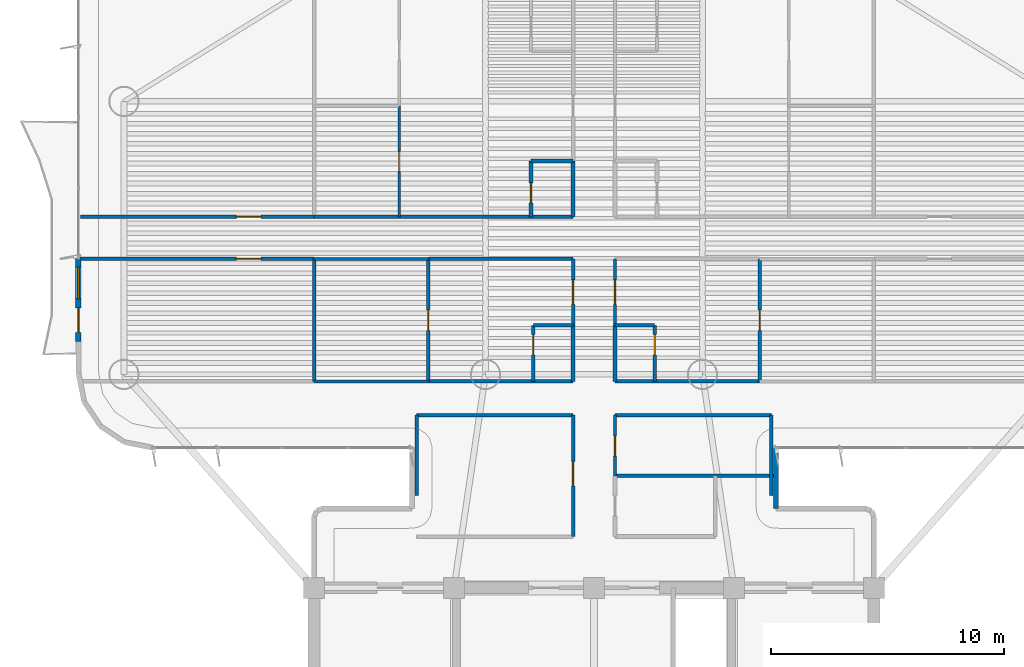
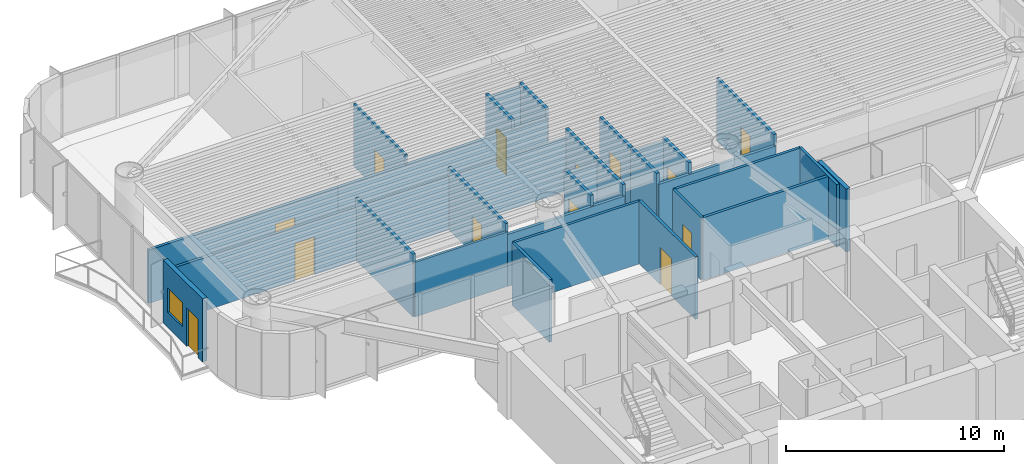
# One storey, part 10 of 17: 32 walls, 13 doors, 1 window, 14 openings.
"""IFC4 building model written with IfcOpenShell, lengths in metres."""

from ifc_helpers import new_model, si_unit, direction, frame, frame_2d, origin, origin_2d, place, context, subcontext, project, spatial, rectangle, extrude, source, transform, mapped, material, layer, layer_set, type_object, element, fill, save


model = new_model("IFC4")

# Units and contexts
model_context = context("Model", 3, precision=1e-05, world=origin(), true_north=direction((0.0, 1.0)))
body_context = subcontext(model_context, "Body", "Model", "MODEL_VIEW")
ifc_project = project(units=[si_unit("LENGTHUNIT", "METRE"), si_unit("AREAUNIT", "SQUARE_METRE"), si_unit("VOLUMEUNIT", "CUBIC_METRE"), si_unit("PLANEANGLEUNIT", "RADIAN"), si_unit("MASSUNIT", "GRAM", prefix="KILO")], contexts=[model_context])

# Site, building, storey
site_placement = place(None, origin())
site = spatial("IfcSite", under=ifc_project, at=site_placement, CompositionType="ELEMENT")
building_placement = place(site_placement, origin())
building = spatial("IfcBuilding", under=site, at=building_placement, Name="Brelvock Crest Care Tower", CompositionType="ELEMENT")
storey_placement = place(building_placement, frame((0.0, 0.0, 97.3798828125)))
storey = spatial("IfcBuildingStorey", under=building, at=storey_placement, Name="L24", CompositionType="ELEMENT", Elevation=97.3798828125)

# Wall, openings, door, window
ifc_material_1 = material(Name="Precast concrete N40 (40 MPa)", Category="concrete")
ifc_layer_1 = layer(ifc_material_1, 0.239990234375, Name="WL-EX1")
ifc_layer_set_1 = layer_set([ifc_layer_1], Name="Precast concrete N40 (40 MPa)")
wall_type_1 = type_object("IfcWallType", Name="WL-EX1", PredefinedType="SOLIDWALL", material=ifc_layer_set_1)
wall_1_placement = place(storey_placement, frame((13.89990234375, 28.550048828125, 0.0), z_axis=(0.0, 0.0, 1.0), x_axis=(0.0, 1.0, 0.0)))
wall_1 = element("IfcWall", 1, at=wall_1_placement, inside=storey, type_object=wall_type_1, Name="L24 Exterior Spandrel Wall WL-BAL-L24-W", PredefinedType="SOLIDWALL", context=body_context, shape_type="SweptSolid", body=[
    extrude(rectangle(XDim=3.599853515625, YDim=0.239990234375, at=frame_2d((1.7998046875, 0.0))), origin(), (0.0, 0.0, 1.0), 3.530029296875),
])
opening_1_placement = place(wall_1_placement, frame((0.39990234375, 0.0, 0.0)))
opening_1 = element("IfcOpeningElement", 2, at=opening_1_placement, cuts=wall_1, Name="Opening BD-1", PredefinedType="OPENING", context=body_context, shape_type="SweptSolid", body=[
    extrude(rectangle(XDim=1.050048828125, YDim=2.14990234375, at=origin_2d()), frame((0.52490234375, 0.1298828125, 1.074951171875), z_axis=(0.0, -1.0, 0.0), x_axis=(1.0, 0.0, 0.0)), (0.0, 0.0, 1.0), 0.260009765625),
])
opening_2_placement = place(wall_1_placement, frame((1.85009765625, 0.0, 0.85009765625)))
opening_2 = element("IfcOpeningElement", 3, at=opening_2_placement, cuts=wall_1, Name="Opening W-01", PredefinedType="OPENING", context=body_context, shape_type="SweptSolid", body=[
    extrude(rectangle(XDim=1.35009765625, YDim=1.35009765625, at=origin_2d()), frame((0.675048828125, 0.1298828125, 0.675048828125), z_axis=(0.0, -1.0, 0.0), x_axis=(1.0, 0.0, 0.0)), (0.0, 0.0, 1.0), 0.260009765625),
])
ifc_material_2 = material(Name="Dark Glass Double Glazed Low-E", Category="glass")
door_type_1 = type_object("IfcDoorType", Name="DR-BAL1", OperationType="NOTDEFINED", PredefinedType="DOOR", material=ifc_material_2)
shared_shape_1 = source(origin(), body_context, "Body", "SweptSolid", [
    extrude(rectangle(XDim=1.050048828125, YDim=2.14990234375, at=origin_2d()), frame((0.52490234375, 0.02490234375, 1.074951171875), z_axis=(0.0, -1.0, 0.0), x_axis=(1.0, 0.0, 0.0)), (0.0, 0.0, 1.0), 0.050048828125),
])
door_1_placement = place(opening_1_placement, origin())
door_1 = element("IfcDoor", 4, at=door_1_placement, inside=storey, type_object=door_type_1, Name="L24 W Wave Balcony Glazed Door", OperationType="SINGLE_SWING_LEFT", OverallHeight=2.14990234375, OverallWidth=1.050048828125, PredefinedType="DOOR", context=body_context, shape_type="MappedRepresentation", body=[
    mapped(shared_shape_1, transform((0.0, 0.0, 0.0), x_axis=(1.0, 0.0, 0.0), y_axis=(0.0, 1.0, 0.0), z_axis=(0.0, 0.0, 1.0), scale=1.0)),
])
fill(opening_1, door_1)
window_type = type_object("IfcWindowType", Name="WN-EX1", PartitioningType="SINGLE_PANEL", PredefinedType="WINDOW", material=ifc_material_2)
shared_shape_2 = source(origin(), body_context, "Body", "SweptSolid", [
    extrude(rectangle(XDim=1.35009765625, YDim=1.35009765625, at=origin_2d()), frame((0.675048828125, 0.030029296875, 0.675048828125), z_axis=(0.0, -1.0, 0.0), x_axis=(1.0, 0.0, 0.0)), (0.0, 0.0, 1.0), 0.06005859375),
])
window_placement = place(opening_2_placement, origin())
window = element("IfcWindow", 5, at=window_placement, inside=storey, type_object=window_type, Name="L24 W Suite Casement Window", OverallHeight=1.35009765625, OverallWidth=1.35009765625, PartitioningType="SINGLE_PANEL", PredefinedType="WINDOW", context=body_context, shape_type="MappedRepresentation", body=[
    mapped(shared_shape_2, transform((0.0, 0.0, 0.0), x_axis=(1.0, 0.0, 0.0), y_axis=(0.0, 1.0, 0.0), z_axis=(0.0, 0.0, 1.0), scale=1.0)),
])
fill(opening_2, window)

# Walls
ifc_layer_2 = layer(ifc_material_1, 0.215087890625, Name="WL-EX2")
ifc_layer_set_2 = layer_set([ifc_layer_2], Name="Precast concrete N40 (40 MPa)")
wall_type_2 = type_object("IfcWallType", Name="WL-EX2", PredefinedType="SOLIDWALL", material=ifc_layer_set_2)
wall_2_placement = place(storey_placement, frame((43.800048828125, 24.0, 0.0), z_axis=(0.0, 0.0, 1.0), x_axis=(0.0, -1.0, 0.0)))
element("IfcWall", 6, at=wall_2_placement, inside=storey, type_object=wall_type_2, Name="L24 Rounded Corner Wall 45", PredefinedType="SOLIDWALL", context=body_context, shape_type="SweptSolid", body=[
    extrude(rectangle(XDim=2.60009765625, YDim=0.215087890625, at=frame_2d((1.300048828125, 0.0))), origin(), (0.0, 0.0, 1.0), 3.530029296875),
])
ifc_material_3 = material(Name="Masonry Blockwork Acoustic Partition", Category="masonry")
ifc_layer_3 = layer(ifc_material_3, 0.14990234375, Name="WL-INT1")
ifc_layer_set_3 = layer_set([ifc_layer_3], Name="Masonry Blockwork Acoustic Partition")
wall_type_3 = type_object("IfcWallType", Name="WL-INT1", PredefinedType="PARTITIONING", material=ifc_layer_set_3)
for number, where, z_axis, x_axis, name in (
    (7, (28.39990234375, 25.39990234375, 0.0), (0.0, 0.0, 1.0), (1.0, 0.0, 0.0), "L24 Interior Wall WL-BX-L24-THW-N"),
    (8, (36.89990234375, 25.39990234375, 0.0), (0.0, 0.0, 1.0), (1.0, 0.0, 0.0), "L24 Interior Wall WL-BX-L24-THE2-N"),
):
    element("IfcWall", number, at=place(storey_placement, frame(where, z_axis=z_axis, x_axis=x_axis)), inside=storey, type_object=wall_type_3, Name=name, PredefinedType="PARTITIONING", context=body_context, shape_type="SweptSolid", body=[
        extrude(rectangle(XDim=6.7001953125, YDim=0.14990234375, at=frame_2d((3.35009765625, 0.0))), origin(), (0.0, 0.0, 1.0), 3.5),
    ])
for number, where, z_axis, x_axis, name in (
    (9, (28.89990234375, 26.85009765625, 0.0), (0.0, 0.0, 1.0), (1.0, 0.0, 0.0), "L24 Interior Wall WL-BX-L24-CS-ISWI-S"),
    (10, (36.89990234375, 26.85009765625, 0.0), (0.0, 0.0, 1.0), (1.0, 0.0, 0.0), "L24 Interior Wall WL-BX-L24-CS-ISEI-S"),
):
    element("IfcWall", number, at=place(storey_placement, frame(where, z_axis=z_axis, x_axis=x_axis)), inside=storey, type_object=wall_type_3, Name=name, PredefinedType="PARTITIONING", context=body_context, shape_type="SweptSolid", body=[
        extrude(rectangle(XDim=6.2001953125, YDim=0.14990234375, at=frame_2d((3.10009765625, 0.0))), origin(), (0.0, 0.0, 1.0), 2.903076171875),
    ])

# Wall, opening, door
wall_3_placement = place(storey_placement, frame((13.97998046875, 32.10009765625, 0.0), z_axis=(0.0, 0.0, 1.0), x_axis=(1.0, 0.0, 0.0)))
wall_3 = element("IfcWall", 11, at=wall_3_placement, inside=storey, type_object=wall_type_3, Name="L24 Interior Wall WL-RM-L24-ISWO", PredefinedType="PARTITIONING", context=body_context, shape_type="SweptSolid", body=[
    extrude(rectangle(XDim=10.02001953125, YDim=0.14990234375, at=frame_2d((5.010009765625, 0.0))), origin(), (0.0, 0.0, 1.0), 2.982177734375),
])
opening_3_placement = place(wall_3_placement, frame((6.695068359375, 0.0, 0.0)))
opening_3 = element("IfcOpeningElement", 12, at=opening_3_placement, cuts=wall_3, Name="Opening CLD-1", PredefinedType="OPENING", context=body_context, shape_type="SweptSolid", body=[
    extrude(rectangle(XDim=1.050048828125, YDim=2.10009765625, at=origin_2d()), frame((0.52490234375, 0.0849609375, 1.050048828125), z_axis=(0.0, -1.0, 0.0), x_axis=(1.0, 0.0, 0.0)), (0.0, 0.0, 1.0), 0.169921875),
])
ifc_material_4 = material(Name="Engineered Hardwood Timber", Category="wood")
door_type_2 = type_object("IfcDoorType", Name="DR-CLN1", OperationType="NOTDEFINED", PredefinedType="DOOR", material=ifc_material_4)
shared_shape_3 = source(origin(), body_context, "Body", "SweptSolid", [
    extrude(rectangle(XDim=1.050048828125, YDim=2.10009765625, at=origin_2d()), frame((0.52490234375, 0.02490234375, 1.050048828125), z_axis=(0.0, -1.0, 0.0), x_axis=(1.0, 0.0, 0.0)), (0.0, 0.0, 1.0), 0.050048828125),
])
door_2_placement = place(opening_3_placement, origin())
door_2 = element("IfcDoor", 13, at=door_2_placement, inside=storey, type_object=door_type_2, Name="L24 Resident Sun Conservatory Door ISWO", OperationType="SINGLE_SWING_LEFT", OverallHeight=2.10009765625, OverallWidth=1.050048828125, PredefinedType="DOOR", context=body_context, shape_type="MappedRepresentation", body=[
    mapped(shared_shape_3, transform((0.0, 0.0, 0.0), x_axis=(1.0, 0.0, 0.0), y_axis=(0.0, 1.0, 0.0), z_axis=(0.0, 0.0, 1.0), scale=1.0)),
])
fill(opening_3, door_2)

# Wall
wall_4_placement = place(storey_placement, frame((28.89990234375, 32.10009765625, 0.0), z_axis=(0.0, 0.0, 1.0), x_axis=(1.0, 0.0, 0.0)))
element("IfcWall", 14, at=wall_4_placement, inside=storey, type_object=wall_type_3, Name="L24 Interior Wall WL-BX-L24-CS-ISWI-N", PredefinedType="PARTITIONING", context=body_context, shape_type="SweptSolid", body=[
    extrude(rectangle(XDim=6.2001953125, YDim=0.14990234375, at=frame_2d((3.10009765625, 0.0))), origin(), (0.0, 0.0, 1.0), 2.982177734375),
])

# Wall, opening, door
wall_5_placement = place(storey_placement, frame((13.97998046875, 33.89990234375, 0.0), z_axis=(0.0, 0.0, 1.0), x_axis=(1.0, 0.0, 0.0)))
wall_5 = element("IfcWall", 15, at=wall_5_placement, inside=storey, type_object=wall_type_3, Name="L24 Interior Wall WL-RM-L24-INWO", PredefinedType="PARTITIONING", context=body_context, shape_type="SweptSolid", body=[
    extrude(rectangle(XDim=10.02001953125, YDim=0.14990234375, at=frame_2d((5.010009765625, 0.0))), origin(), (0.0, 0.0, 1.0), 2.982177734375),
])
opening_4_placement = place(wall_5_placement, frame((6.695068359375, 0.0, 0.0)))
opening_4 = element("IfcOpeningElement", 16, at=opening_4_placement, cuts=wall_5, Name="Opening CLD-1", PredefinedType="OPENING", context=body_context, shape_type="SweptSolid", body=[
    extrude(rectangle(XDim=1.050048828125, YDim=2.10009765625, at=origin_2d()), frame((0.52490234375, 0.0849609375, 1.050048828125), z_axis=(0.0, -1.0, 0.0), x_axis=(1.0, 0.0, 0.0)), (0.0, 0.0, 1.0), 0.169921875),
])
door_3_placement = place(opening_4_placement, origin())
door_3 = element("IfcDoor", 17, at=door_3_placement, inside=storey, type_object=door_type_2, Name="L24 Resident Sun Conservatory Door INWO", OperationType="SINGLE_SWING_LEFT", OverallHeight=2.10009765625, OverallWidth=1.050048828125, PredefinedType="DOOR", context=body_context, shape_type="MappedRepresentation", body=[
    mapped(shared_shape_3, transform((0.0, 0.0, 0.0), x_axis=(1.0, 0.0, 0.0), y_axis=(0.0, 1.0, 0.0), z_axis=(0.0, 0.0, 1.0), scale=1.0)),
])
fill(opening_4, door_3)

# Walls
wall_6_placement = place(storey_placement, frame((24.0, 33.89990234375, 0.0), z_axis=(0.0, 0.0, 1.0), x_axis=(1.0, 0.0, 0.0)))
element("IfcWall", 18, at=wall_6_placement, inside=storey, type_object=wall_type_3, Name="L24 Interior Wall WL-BX-L24-FL-INWI-S", PredefinedType="PARTITIONING", context=body_context, shape_type="SweptSolid", body=[
    extrude(rectangle(XDim=11.10009765625, YDim=0.14990234375, at=frame_2d((5.550048828125, 0.0))), origin(), (0.0, 0.0, 1.0), 2.982177734375),
])
wall_7_placement = place(storey_placement, frame((24.0, 26.85009765625, 0.0), z_axis=(0.0, 0.0, 1.0), x_axis=(0.0, 1.0, 0.0)))
element("IfcWall", 19, at=wall_7_placement, inside=storey, type_object=wall_type_3, Name="L24 Interior Wall WL-BX-L24-ISWIS-W", PredefinedType="PARTITIONING", context=body_context, shape_type="SweptSolid", body=[
    extrude(rectangle(XDim=5.25, YDim=0.14990234375, at=frame_2d((2.625, 0.0))), origin(), (0.0, 0.0, 1.0), 3.5),
])
wall_8_placement = place(storey_placement, frame((28.39990234375, 21.957275390625, 0.0), z_axis=(0.0, 0.0, 1.0), x_axis=(0.0, 1.0, 0.0)))
element("IfcWall", 20, at=wall_8_placement, inside=storey, type_object=wall_type_3, Name="L24 Interior Wall WL-BX-L24-THW-W2", PredefinedType="PARTITIONING", context=body_context, shape_type="SweptSolid", body=[
    extrude(rectangle(XDim=3.442626953125, YDim=0.14990234375, at=frame_2d((1.72119140625, 0.0))), origin(), (0.0, 0.0, 1.0), 3.5),
])

# Wall, opening, door
wall_9_placement = place(storey_placement, frame((28.89990234375, 26.85009765625, 0.0), z_axis=(0.0, 0.0, 1.0), x_axis=(0.0, 1.0, 0.0)))
wall_9 = element("IfcWall", 21, at=wall_9_placement, inside=storey, type_object=wall_type_3, Name="L24 Interior Wall WL-RM-L24-ISWIS", PredefinedType="PARTITIONING", context=body_context, shape_type="SweptSolid", body=[
    extrude(rectangle(XDim=5.25, YDim=0.14990234375, at=frame_2d((2.625, 0.0))), origin(), (0.0, 0.0, 1.0), 3.5),
])
opening_5_placement = place(wall_9_placement, frame((2.18994140625, 0.0, 0.0)))
opening_5 = element("IfcOpeningElement", 22, at=opening_5_placement, cuts=wall_9, Name="Opening ID-1", PredefinedType="OPENING", context=body_context, shape_type="SweptSolid", body=[
    extrude(rectangle(XDim=0.860107421875, YDim=2.10009765625, at=origin_2d()), frame((0.43017578125, 0.0849609375, 1.050048828125), z_axis=(0.0, -1.0, 0.0), x_axis=(1.0, 0.0, 0.0)), (0.0, 0.0, 1.0), 0.169921875),
])
door_type_3 = type_object("IfcDoorType", Name="DR-INT1", OperationType="NOTDEFINED", PredefinedType="DOOR", material=ifc_material_4)
shared_shape_4 = source(origin(), body_context, "Body", "SweptSolid", [
    extrude(rectangle(XDim=0.860107421875, YDim=2.10009765625, at=origin_2d()), frame((0.43017578125, 0.02490234375, 1.050048828125), z_axis=(0.0, -1.0, 0.0), x_axis=(1.0, 0.0, 0.0)), (0.0, 0.0, 1.0), 0.050048828125),
])
door_4_placement = place(opening_5_placement, origin())
door_4 = element("IfcDoor", 23, at=door_4_placement, inside=storey, type_object=door_type_3, Name="L24 Assisted Care Mobility Store Door ISWIS", OperationType="SINGLE_SWING_LEFT", OverallHeight=2.10009765625, OverallWidth=0.860107421875, PredefinedType="DOOR", context=body_context, shape_type="MappedRepresentation", body=[
    mapped(shared_shape_4, transform((0.0, 0.0, 0.0), x_axis=(1.0, 0.0, 0.0), y_axis=(0.0, 1.0, 0.0), z_axis=(0.0, 0.0, 1.0), scale=1.0)),
])
fill(opening_5, door_4)

wall_10_placement = place(storey_placement, frame((35.10009765625, 20.199951171875, 0.0), z_axis=(0.0, 0.0, 1.0), x_axis=(0.0, 1.0, 0.0)))
wall_10 = element("IfcWall", 24, at=wall_10_placement, inside=storey, type_object=wall_type_3, Name="L24 Interior Wall WL-RM-L24-THW", PredefinedType="PARTITIONING", context=body_context, shape_type="SweptSolid", body=[
    extrude(rectangle(XDim=5.199951171875, YDim=0.14990234375, at=frame_2d((2.60009765625, 0.0))), origin(), (0.0, 0.0, 1.0), 3.5),
])
opening_6_placement = place(wall_10_placement, frame((2.175048828125, 0.0, 0.0)))
opening_6 = element("IfcOpeningElement", 25, at=opening_6_placement, cuts=wall_10, Name="Opening CLD-1", PredefinedType="OPENING", context=body_context, shape_type="SweptSolid", body=[
    extrude(rectangle(XDim=1.050048828125, YDim=2.10009765625, at=origin_2d()), frame((0.52490234375, 0.0849609375, 1.050048828125), z_axis=(0.0, -1.0, 0.0), x_axis=(1.0, 0.0, 0.0)), (0.0, 0.0, 1.0), 0.169921875),
])
door_5_placement = place(opening_6_placement, origin())
door_5 = element("IfcDoor", 26, at=door_5_placement, inside=storey, type_object=door_type_2, Name="L24 Allied Health Consultation Room Door THW", OperationType="SINGLE_SWING_LEFT", OverallHeight=2.10009765625, OverallWidth=1.050048828125, PredefinedType="DOOR", context=body_context, shape_type="MappedRepresentation", body=[
    mapped(shared_shape_3, transform((0.0, 0.0, 0.0), x_axis=(1.0, 0.0, 0.0), y_axis=(0.0, 1.0, 0.0), z_axis=(0.0, 0.0, 1.0), scale=1.0)),
])
fill(opening_6, door_5)

wall_11_placement = place(storey_placement, frame((35.10009765625, 29.25, 0.0), z_axis=(0.0, 0.0, 1.0), x_axis=(0.0, 1.0, 0.0)))
wall_11 = element("IfcWall", 27, at=wall_11_placement, inside=storey, type_object=wall_type_3, Name="L24 Interior Wall WL-CENT-L24-ISWI", PredefinedType="PARTITIONING", context=body_context, shape_type="SweptSolid", body=[
    extrude(rectangle(XDim=2.85009765625, YDim=0.14990234375, at=frame_2d((1.425048828125, 0.0))), origin(), (0.0, 0.0, 1.0), 3.5),
])
opening_7_placement = place(wall_11_placement, frame((0.905029296875, 0.0, 0.0)))
opening_7 = element("IfcOpeningElement", 28, at=opening_7_placement, cuts=wall_11, Name="Opening CD-1", PredefinedType="OPENING", context=body_context, shape_type="SweptSolid", body=[
    extrude(rectangle(XDim=1.050048828125, YDim=2.10009765625, at=origin_2d()), frame((0.52490234375, 0.0849609375, 1.050048828125), z_axis=(0.0, -1.0, 0.0), x_axis=(1.0, 0.0, 0.0)), (0.0, 0.0, 1.0), 0.169921875),
])
door_type_4 = type_object("IfcDoorType", Name="DR-CARE1", OperationType="NOTDEFINED", PredefinedType="DOOR", material=ifc_material_4)
shared_shape_5 = source(origin(), body_context, "Body", "SweptSolid", [
    extrude(rectangle(XDim=1.050048828125, YDim=2.10009765625, at=origin_2d()), frame((0.52490234375, 0.02490234375, 1.050048828125), z_axis=(0.0, -1.0, 0.0), x_axis=(1.0, 0.0, 0.0)), (0.0, 0.0, 1.0), 0.050048828125),
])
door_6_placement = place(opening_7_placement, origin())
door_6 = element("IfcDoor", 29, at=door_6_placement, inside=storey, type_object=door_type_4, Name="L24 Care Suite Door ISWI", OperationType="SINGLE_SWING_LEFT", OverallHeight=2.10009765625, OverallWidth=1.050048828125, PredefinedType="DOOR", context=body_context, shape_type="MappedRepresentation", body=[
    mapped(shared_shape_5, transform((0.0, 0.0, 0.0), x_axis=(1.0, 0.0, 0.0), y_axis=(0.0, 1.0, 0.0), z_axis=(0.0, 0.0, 1.0), scale=1.0)),
])
fill(opening_7, door_6)

wall_12_placement = place(storey_placement, frame((36.89990234375, 22.800048828125, 0.0), z_axis=(0.0, 0.0, 1.0), x_axis=(0.0, 1.0, 0.0)))
wall_12 = element("IfcWall", 30, at=wall_12_placement, inside=storey, type_object=wall_type_3, Name="L24 Interior Wall WL-RM-L24-THE2", PredefinedType="PARTITIONING", context=body_context, shape_type="SweptSolid", body=[
    extrude(rectangle(XDim=2.599853515625, YDim=0.14990234375, at=frame_2d((1.2998046875, 0.0))), origin(), (0.0, 0.0, 1.0), 3.5),
])
opening_8_placement = place(wall_12_placement, frame((0.840087890625, 0.0, 0.0)))
opening_8 = element("IfcOpeningElement", 31, at=opening_8_placement, cuts=wall_12, Name="Opening ID-1", PredefinedType="OPENING", context=body_context, shape_type="SweptSolid", body=[
    extrude(rectangle(XDim=0.860107421875, YDim=2.10009765625, at=origin_2d()), frame((0.43017578125, 0.0849609375, 1.050048828125), z_axis=(0.0, -1.0, 0.0), x_axis=(1.0, 0.0, 0.0)), (0.0, 0.0, 1.0), 0.169921875),
])
door_7_placement = place(opening_8_placement, origin())
door_7 = element("IfcDoor", 32, at=door_7_placement, inside=storey, type_object=door_type_3, Name="L24 Care Coordinator Office Door THE2", OperationType="SINGLE_SWING_LEFT", OverallHeight=2.10009765625, OverallWidth=0.860107421875, PredefinedType="DOOR", context=body_context, shape_type="MappedRepresentation", body=[
    mapped(shared_shape_4, transform((0.0, 0.0, 0.0), x_axis=(1.0, 0.0, 0.0), y_axis=(0.0, 1.0, 0.0), z_axis=(0.0, 0.0, 1.0), scale=1.0)),
])
fill(opening_8, door_7)

wall_13_placement = place(storey_placement, frame((36.89990234375, 29.25, 0.0), z_axis=(0.0, 0.0, 1.0), x_axis=(0.0, 1.0, 0.0)))
wall_13 = element("IfcWall", 33, at=wall_13_placement, inside=storey, type_object=wall_type_3, Name="L24 Interior Wall WL-CENT-L24-ISEI", PredefinedType="PARTITIONING", context=body_context, shape_type="SweptSolid", body=[
    extrude(rectangle(XDim=2.85009765625, YDim=0.14990234375, at=frame_2d((1.425048828125, 0.0))), origin(), (0.0, 0.0, 1.0), 3.5),
])
opening_9_placement = place(wall_13_placement, frame((0.905029296875, 0.0, 0.0)))
opening_9 = element("IfcOpeningElement", 34, at=opening_9_placement, cuts=wall_13, Name="Opening CD-1", PredefinedType="OPENING", context=body_context, shape_type="SweptSolid", body=[
    extrude(rectangle(XDim=1.050048828125, YDim=2.10009765625, at=origin_2d()), frame((0.52490234375, 0.0849609375, 1.050048828125), z_axis=(0.0, -1.0, 0.0), x_axis=(1.0, 0.0, 0.0)), (0.0, 0.0, 1.0), 0.169921875),
])
door_8_placement = place(opening_9_placement, origin())
door_8 = element("IfcDoor", 35, at=door_8_placement, inside=storey, type_object=door_type_4, Name="L24 Care Suite Door ISEI", OperationType="SINGLE_SWING_LEFT", OverallHeight=2.10009765625, OverallWidth=1.050048828125, PredefinedType="DOOR", context=body_context, shape_type="MappedRepresentation", body=[
    mapped(shared_shape_5, transform((0.0, 0.0, 0.0), x_axis=(1.0, 0.0, 0.0), y_axis=(0.0, 1.0, 0.0), z_axis=(0.0, 0.0, 1.0), scale=1.0)),
])
fill(opening_9, door_8)

wall_14_placement = place(storey_placement, frame((43.10009765625, 26.85009765625, 0.0), z_axis=(0.0, 0.0, 1.0), x_axis=(0.0, 1.0, 0.0)))
wall_14 = element("IfcWall", 36, at=wall_14_placement, inside=storey, type_object=wall_type_3, Name="L24 Interior Wall WL-RM-L24-ISEIS", PredefinedType="PARTITIONING", context=body_context, shape_type="SweptSolid", body=[
    extrude(rectangle(XDim=5.25, YDim=0.14990234375, at=frame_2d((2.625, 0.0))), origin(), (0.0, 0.0, 1.0), 3.5),
])
opening_10_placement = place(wall_14_placement, frame((2.18994140625, 0.0, 0.0)))
opening_10 = element("IfcOpeningElement", 37, at=opening_10_placement, cuts=wall_14, Name="Opening ID-1", PredefinedType="OPENING", context=body_context, shape_type="SweptSolid", body=[
    extrude(rectangle(XDim=0.860107421875, YDim=2.10009765625, at=origin_2d()), frame((0.43017578125, 0.0849609375, 1.050048828125), z_axis=(0.0, -1.0, 0.0), x_axis=(1.0, 0.0, 0.0)), (0.0, 0.0, 1.0), 0.169921875),
])
door_9_placement = place(opening_10_placement, origin())
door_9 = element("IfcDoor", 38, at=door_9_placement, inside=storey, type_object=door_type_3, Name="L24 Assisted Care Mobility Store Door ISEIS", OperationType="SINGLE_SWING_LEFT", OverallHeight=2.10009765625, OverallWidth=0.860107421875, PredefinedType="DOOR", context=body_context, shape_type="MappedRepresentation", body=[
    mapped(shared_shape_4, transform((0.0, 0.0, 0.0), x_axis=(1.0, 0.0, 0.0), y_axis=(0.0, 1.0, 0.0), z_axis=(0.0, 0.0, 1.0), scale=1.0)),
])
fill(opening_10, door_9)

# Walls
wall_15_placement = place(storey_placement, frame((43.60009765625, 21.95751953125, 0.0), z_axis=(0.0, 0.0, 1.0), x_axis=(0.0, 1.0, 0.0)))
element("IfcWall", 39, at=wall_15_placement, inside=storey, type_object=wall_type_3, Name="L24 Interior Wall WL-BX-L24-THE2-E", PredefinedType="PARTITIONING", context=body_context, shape_type="SweptSolid", body=[
    extrude(rectangle(XDim=3.4423828125, YDim=0.14990234375, at=frame_2d((1.72119140625, 0.0))), origin(), (0.0, 0.0, 1.0), 3.5),
])
ifc_material_5 = material(Name="Gypsum Plasterboard Partition", Category="gypsum")
ifc_layer_4 = layer(ifc_material_5, 0.1201171875, Name="WL-INT2")
ifc_layer_set_4 = layer_set([ifc_layer_4], Name="Gypsum Plasterboard Partition")
wall_type_4 = type_object("IfcWallType", Name="WL-INT2", PredefinedType="PARTITIONING", material=ifc_layer_set_4)
wall_16_placement = place(storey_placement, frame((24.0, 26.85009765625, 0.0), z_axis=(0.0, 0.0, 1.0), x_axis=(1.0, 0.0, 0.0)))
element("IfcWall", 40, at=wall_16_placement, inside=storey, type_object=wall_type_4, Name="L24 Interior Wall WL-BX-L24-ISWIS-S", PredefinedType="PARTITIONING", context=body_context, shape_type="SweptSolid", body=[
    extrude(rectangle(XDim=4.89990234375, YDim=0.1201171875, at=frame_2d((2.449951171875, 0.0))), origin(), (0.0, 0.0, 1.0), 3.05517578125),
])
wall_17_placement = place(storey_placement, frame((24.0, 32.10009765625, 0.0), z_axis=(0.0, 0.0, 1.0), x_axis=(1.0, 0.0, 0.0)))
element("IfcWall", 41, at=wall_17_placement, inside=storey, type_object=wall_type_4, Name="L24 Interior Wall WL-BX-L24-ISWIS-N", PredefinedType="PARTITIONING", context=body_context, shape_type="SweptSolid", body=[
    extrude(rectangle(XDim=4.89990234375, YDim=0.1201171875, at=frame_2d((2.449951171875, 0.0))), origin(), (0.0, 0.0, 1.0), 2.982177734375),
])

# Wall, opening, door
wall_18_placement = place(storey_placement, frame((27.64990234375, 33.89990234375, 0.0), z_axis=(0.0, 0.0, 1.0), x_axis=(0.0, 1.0, 0.0)))
wall_18 = element("IfcWall", 42, at=wall_18_placement, inside=storey, type_object=wall_type_4, Name="L24 Interior Wall WL-UBD1-L24-INWI", PredefinedType="PARTITIONING", context=body_context, shape_type="SweptSolid", body=[
    extrude(rectangle(XDim=4.75, YDim=0.1201171875, at=frame_2d((2.375, 0.0))), origin(), (0.0, 0.0, 1.0), 3.5),
])
opening_11_placement = place(wall_18_placement, frame((1.945068359375, 0.0, 0.0)))
opening_11 = element("IfcOpeningElement", 43, at=opening_11_placement, cuts=wall_18, Name="Opening ID-1", PredefinedType="OPENING", context=body_context, shape_type="SweptSolid", body=[
    extrude(rectangle(XDim=0.860107421875, YDim=2.10009765625, at=origin_2d()), frame((0.43017578125, 0.070068359375, 1.050048828125), z_axis=(0.0, -1.0, 0.0), x_axis=(1.0, 0.0, 0.0)), (0.0, 0.0, 1.0), 0.14013671875),
])
door_10_placement = place(opening_11_placement, origin())
door_10 = element("IfcDoor", 44, at=door_10_placement, inside=storey, type_object=door_type_3, Name="L24 Primary Bedroom Door INWI", OperationType="SINGLE_SWING_RIGHT", OverallHeight=2.10009765625, OverallWidth=0.860107421875, PredefinedType="DOOR", context=body_context, shape_type="MappedRepresentation", body=[
    mapped(shared_shape_4, transform((0.0, 0.0, 0.0), x_axis=(1.0, 0.0, 0.0), y_axis=(0.0, 1.0, 0.0), z_axis=(0.0, 0.0, 1.0), scale=1.0)),
])
fill(opening_11, door_10)

# Walls
ifc_layer_5 = layer(ifc_material_5, 0.159912109375, Name="WL-PLM1")
ifc_layer_set_5 = layer_set([ifc_layer_5], Name="Gypsum Plasterboard Partition")
wall_type_5 = type_object("IfcWallType", Name="WL-PLM1", PredefinedType="PLUMBINGWALL", material=ifc_layer_set_5)
wall_19_placement = place(storey_placement, frame((36.89990234375, 22.800048828125, 0.0), z_axis=(0.0, 0.0, 1.0), x_axis=(1.0, 0.0, 0.0)))
element("IfcWall", 45, at=wall_19_placement, inside=storey, type_object=wall_type_5, Name="L24 Interior Wall WL-BX-L24-THE2-S", PredefinedType="PLUMBINGWALL", context=body_context, shape_type="SweptSolid", body=[
    extrude(rectangle(XDim=6.820068359375, YDim=0.159912109375, at=frame_2d((3.41015625, 0.0))), origin(), (0.0, 0.0, 1.0), 3.5),
])
for number, where, z_axis, x_axis, name in (
    (46, (33.39990234375, 29.25, 0.0), (0.0, 0.0, 1.0), (1.0, 0.0, 0.0), "L24 Interior Wall WL-CENS2-L24-ISWI"),
    (47, (36.89990234375, 29.25, 0.0), (0.0, 0.0, 1.0), (1.0, 0.0, 0.0), "L24 Interior Wall WL-CENS2-L24-ISEI"),
):
    element("IfcWall", number, at=place(storey_placement, frame(where, z_axis=z_axis, x_axis=x_axis)), inside=storey, type_object=wall_type_5, Name=name, PredefinedType="PLUMBINGWALL", context=body_context, shape_type="SweptSolid", body=[
        extrude(rectangle(XDim=1.7001953125, YDim=0.159912109375, at=frame_2d((0.85009765625, 0.0))), origin(), (0.0, 0.0, 1.0), 3.259033203125),
    ])
wall_20_placement = place(storey_placement, frame((33.300048828125, 36.300048828125, 0.0), z_axis=(0.0, 0.0, 1.0), x_axis=(1.0, 0.0, 0.0)))
element("IfcWall", 48, at=wall_20_placement, inside=storey, type_object=wall_type_5, Name="L24 Interior Wall WL-UBTH2-L24-INWI", PredefinedType="PLUMBINGWALL", context=body_context, shape_type="SweptSolid", body=[
    extrude(rectangle(XDim=1.800048828125, YDim=0.159912109375, at=frame_2d((0.89990234375, 0.0))), origin(), (0.0, 0.0, 1.0), 3.259033203125),
])

# Wall, opening, door
wall_21_placement = place(storey_placement, frame((33.300048828125, 33.89990234375, 0.0), z_axis=(0.0, 0.0, 1.0), x_axis=(0.0, 1.0, 0.0)))
wall_21 = element("IfcWall", 49, at=wall_21_placement, inside=storey, type_object=wall_type_5, Name="L24 Interior Wall WL-UBTH1-L24-INWI", PredefinedType="PLUMBINGWALL", context=body_context, shape_type="SweptSolid", body=[
    extrude(rectangle(XDim=2.400146484375, YDim=0.159912109375, at=frame_2d((1.2001953125, 0.0))), origin(), (0.0, 0.0, 1.0), 3.5),
])
opening_12_placement = place(wall_21_placement, frame((0.60009765625, 0.0, 0.0)))
opening_12 = element("IfcOpeningElement", 50, at=opening_12_placement, cuts=wall_21, Name="Opening WD-1", PredefinedType="OPENING", context=body_context, shape_type="SweptSolid", body=[
    extrude(rectangle(XDim=0.860107421875, YDim=2.10009765625, at=origin_2d()), frame((0.43017578125, 0.08984375, 1.050048828125), z_axis=(0.0, -1.0, 0.0), x_axis=(1.0, 0.0, 0.0)), (0.0, 0.0, 1.0), 0.179931640625),
])
door_type_5 = type_object("IfcDoorType", Name="DR-WC1", OperationType="NOTDEFINED", PredefinedType="DOOR", material=ifc_material_4)
shared_shape_6 = source(origin(), body_context, "Body", "SweptSolid", [
    extrude(rectangle(XDim=0.860107421875, YDim=2.10009765625, at=origin_2d()), frame((0.43017578125, 0.02490234375, 1.050048828125), z_axis=(0.0, -1.0, 0.0), x_axis=(1.0, 0.0, 0.0)), (0.0, 0.0, 1.0), 0.050048828125),
])
door_11_placement = place(opening_12_placement, origin())
door_11 = element("IfcDoor", 51, at=door_11_placement, inside=storey, type_object=door_type_5, Name="L24 Bathroom Door INWI", OperationType="SINGLE_SWING_LEFT", OverallHeight=2.10009765625, OverallWidth=0.860107421875, PredefinedType="DOOR", context=body_context, shape_type="MappedRepresentation", body=[
    mapped(shared_shape_6, transform((0.0, 0.0, 0.0), x_axis=(1.0, 0.0, 0.0), y_axis=(0.0, 1.0, 0.0), z_axis=(0.0, 0.0, 1.0), scale=1.0)),
])
fill(opening_12, door_11)

wall_22_placement = place(storey_placement, frame((33.39990234375, 26.85009765625, 0.0), z_axis=(0.0, 0.0, 1.0), x_axis=(0.0, 1.0, 0.0)))
wall_22 = element("IfcWall", 52, at=wall_22_placement, inside=storey, type_object=wall_type_5, Name="L24 Interior Wall WL-CENS1-L24-ISWI", PredefinedType="PLUMBINGWALL", context=body_context, shape_type="SweptSolid", body=[
    extrude(rectangle(XDim=2.39990234375, YDim=0.159912109375, at=frame_2d((1.199951171875, 0.0))), origin(), (0.0, 0.0, 1.0), 3.5),
])
opening_13_placement = place(wall_22_placement, frame((1.139892578125, 0.0, 0.0)))
opening_13 = element("IfcOpeningElement", 53, at=opening_13_placement, cuts=wall_22, Name="Opening WD-1", PredefinedType="OPENING", context=body_context, shape_type="SweptSolid", body=[
    extrude(rectangle(XDim=0.860107421875, YDim=2.10009765625, at=origin_2d()), frame((0.43017578125, 0.08984375, 1.050048828125), z_axis=(0.0, -1.0, 0.0), x_axis=(1.0, 0.0, 0.0)), (0.0, 0.0, 1.0), 0.179931640625),
])
door_12_placement = place(opening_13_placement, origin())
door_12 = element("IfcDoor", 54, at=door_12_placement, inside=storey, type_object=door_type_5, Name="L24 Care En-Suite Door ISWI", OperationType="SINGLE_SWING_LEFT", OverallHeight=2.10009765625, OverallWidth=0.860107421875, PredefinedType="DOOR", context=body_context, shape_type="MappedRepresentation", body=[
    mapped(shared_shape_6, transform((0.0, 0.0, 0.0), x_axis=(1.0, 0.0, 0.0), y_axis=(0.0, 1.0, 0.0), z_axis=(0.0, 0.0, 1.0), scale=1.0)),
])
fill(opening_13, door_12)

# Walls
wall_23_placement = place(storey_placement, frame((35.10009765625, 26.85009765625, 0.0), z_axis=(0.0, 0.0, 1.0), x_axis=(0.0, 1.0, 0.0)))
element("IfcWall", 55, at=wall_23_placement, inside=storey, type_object=wall_type_5, Name="L24 Interior Wall WL-CENS0-L24-ISWI", PredefinedType="PLUMBINGWALL", context=body_context, shape_type="SweptSolid", body=[
    extrude(rectangle(XDim=2.39990234375, YDim=0.159912109375, at=frame_2d((1.199951171875, 0.0))), origin(), (0.0, 0.0, 1.0), 3.5),
])
wall_24_placement = place(storey_placement, frame((35.10009765625, 33.89990234375, 0.0), z_axis=(0.0, 0.0, 1.0), x_axis=(0.0, 1.0, 0.0)))
element("IfcWall", 56, at=wall_24_placement, inside=storey, type_object=wall_type_5, Name="L24 Interior Wall WL-UCB-L24-INWI", PredefinedType="PLUMBINGWALL", context=body_context, shape_type="SweptSolid", body=[
    extrude(rectangle(XDim=2.400146484375, YDim=0.159912109375, at=frame_2d((1.2001953125, 0.0))), origin(), (0.0, 0.0, 1.0), 3.5),
])
wall_25_placement = place(storey_placement, frame((36.89990234375, 26.85009765625, 0.0), z_axis=(0.0, 0.0, 1.0), x_axis=(0.0, 1.0, 0.0)))
element("IfcWall", 57, at=wall_25_placement, inside=storey, type_object=wall_type_5, Name="L24 Interior Wall WL-CENS0-L24-ISEI", PredefinedType="PLUMBINGWALL", context=body_context, shape_type="SweptSolid", body=[
    extrude(rectangle(XDim=2.39990234375, YDim=0.159912109375, at=frame_2d((1.199951171875, 0.0))), origin(), (0.0, 0.0, 1.0), 3.5),
])

# Wall, opening, door
wall_26_placement = place(storey_placement, frame((38.60009765625, 26.85009765625, 0.0), z_axis=(0.0, 0.0, 1.0), x_axis=(0.0, 1.0, 0.0)))
wall_26 = element("IfcWall", 58, at=wall_26_placement, inside=storey, type_object=wall_type_5, Name="L24 Interior Wall WL-CENS1-L24-ISEI", PredefinedType="PLUMBINGWALL", context=body_context, shape_type="SweptSolid", body=[
    extrude(rectangle(XDim=2.39990234375, YDim=0.159912109375, at=frame_2d((1.199951171875, 0.0))), origin(), (0.0, 0.0, 1.0), 3.5),
])
opening_14_placement = place(wall_26_placement, frame((1.139892578125, 0.0, 0.0)))
opening_14 = element("IfcOpeningElement", 59, at=opening_14_placement, cuts=wall_26, Name="Opening WD-1", PredefinedType="OPENING", context=body_context, shape_type="SweptSolid", body=[
    extrude(rectangle(XDim=0.860107421875, YDim=2.10009765625, at=origin_2d()), frame((0.43017578125, 0.08984375, 1.050048828125), z_axis=(0.0, -1.0, 0.0), x_axis=(1.0, 0.0, 0.0)), (0.0, 0.0, 1.0), 0.179931640625),
])
door_13_placement = place(opening_14_placement, origin())
door_13 = element("IfcDoor", 60, at=door_13_placement, inside=storey, type_object=door_type_5, Name="L24 Care En-Suite Door ISEI", OperationType="SINGLE_SWING_RIGHT", OverallHeight=2.10009765625, OverallWidth=0.860107421875, PredefinedType="DOOR", context=body_context, shape_type="MappedRepresentation", body=[
    mapped(shared_shape_6, transform((0.0, 0.0, 0.0), x_axis=(1.0, 0.0, 0.0), y_axis=(0.0, 1.0, 0.0), z_axis=(0.0, 0.0, 1.0), scale=1.0)),
])
fill(opening_14, door_13)

save(model, "model.ifc")
